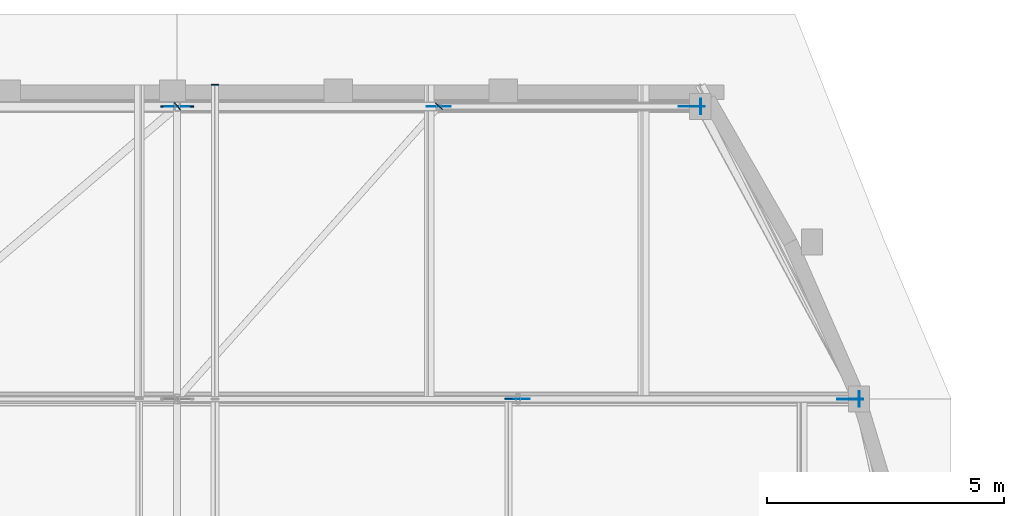
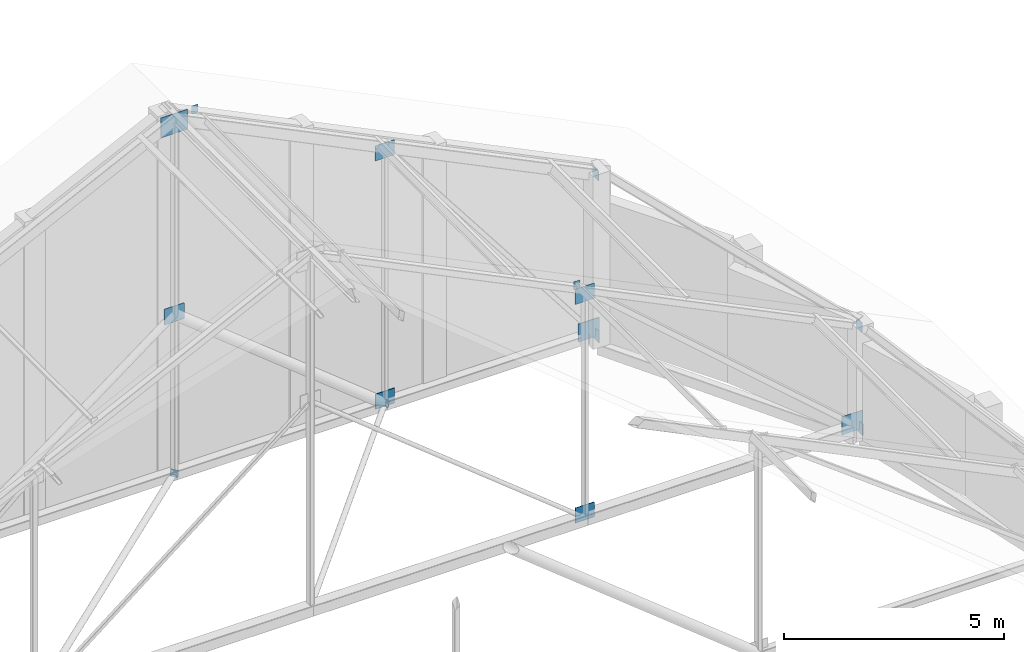
# One storey, part 46 of 78: 16 plates.
"""IFC4 building model written with IfcOpenShell, lengths in metres."""

from ifc_helpers import new_model, si_unit, direction, frame, origin, origin_2d, place, context, subcontext, project, spatial, rectangle, extrude, material, layer, layer_set, type_object, element, save


model = new_model("IFC4")

# Units and contexts
model_context = context("Model", 3, precision=1e-05, world=origin(), true_north=direction((0.0, 1.0)))
body_context = subcontext(model_context, "Body", "Model", "MODEL_VIEW")
ifc_project = project(units=[si_unit("LENGTHUNIT", "METRE"), si_unit("AREAUNIT", "SQUARE_METRE"), si_unit("VOLUMEUNIT", "CUBIC_METRE"), si_unit("PLANEANGLEUNIT", "RADIAN"), si_unit("MASSUNIT", "GRAM", prefix="KILO")], contexts=[model_context])

# Site, building, storey
site_placement = place(None, origin())
site = spatial("IfcSite", under=ifc_project, at=site_placement, CompositionType="ELEMENT")
building_placement = place(site_placement, origin())
building = spatial("IfcBuilding", under=site, at=building_placement, Name="Kelanivale Promenade Academy", CompositionType="ELEMENT")
storey_placement = place(building_placement, frame((0.0, 0.0, 16.199951171875)))
storey = spatial("IfcBuildingStorey", under=building, at=storey_placement, Name="L04", CompositionType="ELEMENT", Elevation=16.199951171875)

# Plates
ifc_material = material(Name="Steel S355", Category="steel")
ifc_layer_1 = layer(ifc_material, 0.01611328125)
ifc_layer_set_1 = layer_set([ifc_layer_1], Name="Steel S355")
plate_type_1 = type_object("IfcPlateType", Name="TN-CP16 Plate 16mm", PredefinedType="USERDEFINED", material=ifc_layer_set_1)
for number, where, z_axis, x_axis, name in (
    (1, (34.008056640625, 72.77099609375, 2.8740234375), (0.0, 0.0, 1.0), (1.0, 0.0, 0.0), "ROOF TRUSS TN-5 hollow-section end cap plate"),
    (2, (30.657958984375, 78.949951171875, 4.510009765625), (0.0, 0.0, 1.0), (1.0, 0.0, 0.0), "ROOF TRUSS TN-5 hollow-section end cap plate"),
):
    element("IfcPlate", number, at=place(storey_placement, frame(where, z_axis=z_axis, x_axis=x_axis)), inside=storey, type_object=plate_type_1, Name=name, ObjectType="CAP PLATE", PredefinedType="USERDEFINED", context=body_context, shape_type="SweptSolid", body=[
        extrude(rectangle(XDim=0.01611328125, YDim=0.27001953125, at=origin_2d()), origin(), (0.0, 0.0, 1.0), 0.27001953125),
    ])
for number, where, z_axis, x_axis, name in (
    (3, (26.60009765625, 72.779052734375, 6.60498046875), (0.0, 0.0, 1.0), (0.0, 1.0, 0.0), "ROOF TRUSS TN-4 hollow-section end cap plate"),
    (4, (20.39990234375, 79.407958984375, 9.63330078125), (0.0, 0.0, 1.0), (0.0, 1.0, 0.0), "ROOF TRUSS TN-4 hollow-section end cap plate"),
):
    element("IfcPlate", number, at=place(storey_placement, frame(where, z_axis=z_axis, x_axis=x_axis)), inside=storey, type_object=plate_type_1, Name=name, ObjectType="CAP PLATE", PredefinedType="USERDEFINED", context=body_context, shape_type="SweptSolid", body=[
        extrude(rectangle(XDim=0.01611328125, YDim=0.159912109375, at=origin_2d()), origin(), (0.0, 0.0, 1.0), 0.219970703125),
    ])
for number, where, z_axis, x_axis, name in (
    (5, (19.60595703125, 78.955078125, 0.10009765625), (0.0, 0.0, 1.0), (0.760859180527, 0.648917026597, 0.0), "ROOF TRUSS TN-3 hollow-section end cap plate"),
    (6, (25.1298828125, 78.9560546875, 0.10009765625), (0.0, 0.0, 1.0), (0.666532470249, 0.745475999683, 0.0), "ROOF TRUSS TN-3 hollow-section end cap plate"),
):
    element("IfcPlate", number, at=place(storey_placement, frame(where, z_axis=z_axis, x_axis=x_axis)), inside=storey, type_object=plate_type_1, Name=name, ObjectType="CAP PLATE", PredefinedType="USERDEFINED", context=body_context, shape_type="SweptSolid", body=[
        extrude(rectangle(XDim=0.01611328125, YDim=0.199951171875, at=origin_2d()), origin(), (0.0, 0.0, 1.0), 0.199951171875),
    ])
ifc_layer_2 = layer(ifc_material, 0.02001953125)
ifc_layer_set_2 = layer_set([ifc_layer_2], Name="Steel S355")
plate_type_2 = type_object("IfcPlateType", Name="TN-CP20 Plate 20mm", PredefinedType="USERDEFINED", material=ifc_layer_set_2)
for number, where, z_axis, x_axis, name in (
    (7, (34.010009765625, 72.77099609375, 0.0400390625), (0.0, 0.0, 1.0), (1.0, 0.0, 0.0), "ROOF TRUSS TN-5 hollow-section end cap plate"),
    (8, (30.659912109375, 78.949951171875, 0.0400390625), (0.0, 0.0, 1.0), (1.0, 0.0, 0.0), "ROOF TRUSS TN-5 hollow-section end cap plate"),
):
    element("IfcPlate", number, at=place(storey_placement, frame(where, z_axis=z_axis, x_axis=x_axis)), inside=storey, type_object=plate_type_2, Name=name, ObjectType="CAP PLATE", PredefinedType="USERDEFINED", context=body_context, shape_type="SweptSolid", body=[
        extrude(rectangle(XDim=0.02001953125, YDim=0.320068359375, at=origin_2d()), origin(), (0.0, 0.0, 1.0), 0.320068359375),
    ])
ifc_layer_3 = layer(ifc_material, 0.01611328125)
ifc_layer_set_3 = layer_set([ifc_layer_3], Name="Steel S355")
plate_type_3 = type_object("IfcPlateType", Name="TN-GP16 Plate 16mm", PredefinedType="USERDEFINED", material=ifc_layer_set_3)
for number, where, z_axis, x_axis, name in (
    (9, (26.800048828125, 72.77099609375, 0.130126953125), (0.0, 0.0, 1.0), (1.0, 0.0, 0.0), "ROOF TRUSS TN-3E welded node gusset plate"),
    (10, (26.800048828125, 72.77099609375, 6.196044921875), (0.0, 0.0, 1.0), (1.0, 0.0, 0.0), "ROOF TRUSS TN-4E welded node gusset plate"),
):
    element("IfcPlate", number, at=place(storey_placement, frame(where, z_axis=z_axis, x_axis=x_axis)), inside=storey, type_object=plate_type_3, Name=name, ObjectType="GUSSET PLATE", PredefinedType="USERDEFINED", context=body_context, shape_type="SweptSolid", body=[
        extrude(rectangle(XDim=0.5, YDim=0.01611328125, at=origin_2d()), origin(), (0.0, 0.0, 1.0), 0.419921875),
    ])
plate_1_placement = place(storey_placement, frame((19.60009765625, 78.949951171875, 4.400146484375), z_axis=(0.0, 0.0, 1.0), x_axis=(1.0, 0.0, 0.0)))
element("IfcPlate", 11, at=plate_1_placement, inside=storey, type_object=plate_type_3, Name="ROOF TRUSS TN-2D welded node gusset plate", ObjectType="GUSSET PLATE", PredefinedType="USERDEFINED", context=body_context, shape_type="SweptSolid", body=[
    extrude(rectangle(XDim=0.52001953125, YDim=0.01611328125, at=origin_2d()), origin(), (0.0, 0.0, 1.0), 0.43994140625),
])
for number, where, z_axis, x_axis, name in (
    (12, (25.125, 78.949951171875, 0.130126953125), (0.0, 0.0, 1.0), (1.0, 0.0, 0.0), "ROOF TRUSS TN-3E welded node gusset plate"),
    (13, (25.125, 78.949951171875, 7.01416015625), (0.0, 0.0, 1.0), (1.0, 0.0, 0.0), "ROOF TRUSS TN-4E welded node gusset plate"),
):
    element("IfcPlate", number, at=place(storey_placement, frame(where, z_axis=z_axis, x_axis=x_axis)), inside=storey, type_object=plate_type_3, Name=name, ObjectType="GUSSET PLATE", PredefinedType="USERDEFINED", context=body_context, shape_type="SweptSolid", body=[
        extrude(rectangle(XDim=0.5, YDim=0.01611328125, at=origin_2d()), origin(), (0.0, 0.0, 1.0), 0.419921875),
    ])
ifc_layer_4 = layer(ifc_material, 0.02001953125)
ifc_layer_set_4 = layer_set([ifc_layer_4], Name="Steel S355")
plate_type_4 = type_object("IfcPlateType", Name="TN-GP20 Plate 20mm", PredefinedType="USERDEFINED", material=ifc_layer_set_4)
for number, where, z_axis, x_axis, name in (
    (14, (33.820068359375, 72.77099609375, 0.130126953125), (0.0, 0.0, 1.0), (1.0, 0.0, 0.0), "ROOF TRUSS TN-5 welded node gusset plate"),
    (15, (30.469970703125, 78.949951171875, 0.130126953125), (0.0, 0.0, 1.0), (1.0, 0.0, 0.0), "ROOF TRUSS TN-5 welded node gusset plate"),
):
    element("IfcPlate", number, at=place(storey_placement, frame(where, z_axis=z_axis, x_axis=x_axis)), inside=storey, type_object=plate_type_4, Name=name, ObjectType="GUSSET PLATE", PredefinedType="USERDEFINED", context=body_context, shape_type="SweptSolid", body=[
        extrude(rectangle(XDim=0.550048828125, YDim=0.02001953125, at=origin_2d()), origin(), (0.0, 0.0, 1.0), 0.5),
    ])
ifc_layer_5 = layer(ifc_material, 0.02490234375)
ifc_layer_set_5 = layer_set([ifc_layer_5], Name="Steel S355")
plate_type_5 = type_object("IfcPlateType", Name="TN-GP25 Plate 25mm", PredefinedType="USERDEFINED", material=ifc_layer_set_5)
plate_2_placement = place(storey_placement, frame((19.60009765625, 78.949951171875, 9.626953125), z_axis=(0.0, 0.0, 1.0), x_axis=(1.0, 0.0, 0.0)))
element("IfcPlate", 16, at=plate_2_placement, inside=storey, type_object=plate_type_5, Name="ROOF TRUSS TN-2 welded node gusset plate", ObjectType="GUSSET PLATE", PredefinedType="USERDEFINED", context=body_context, shape_type="SweptSolid", body=[
    extrude(rectangle(XDim=0.699951171875, YDim=0.02490234375, at=origin_2d()), origin(), (0.0, 0.0, 1.0), 0.550048828125),
])

save(model, "model.ifc")
